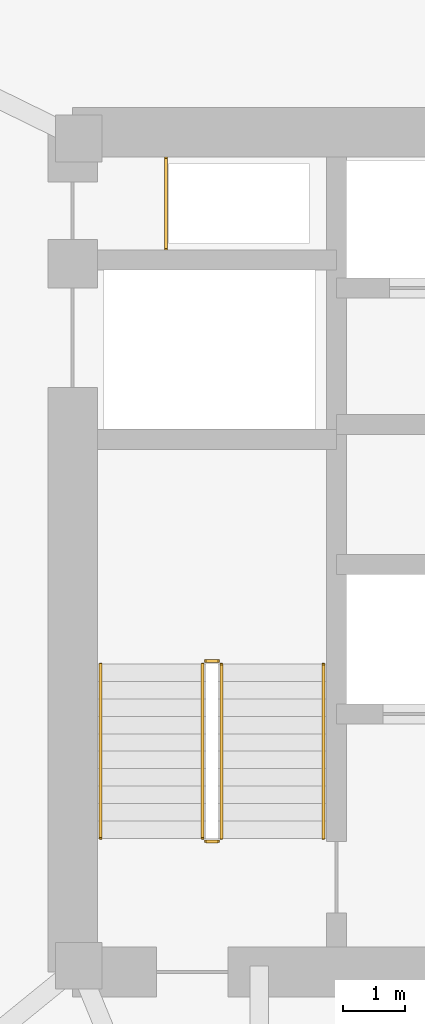
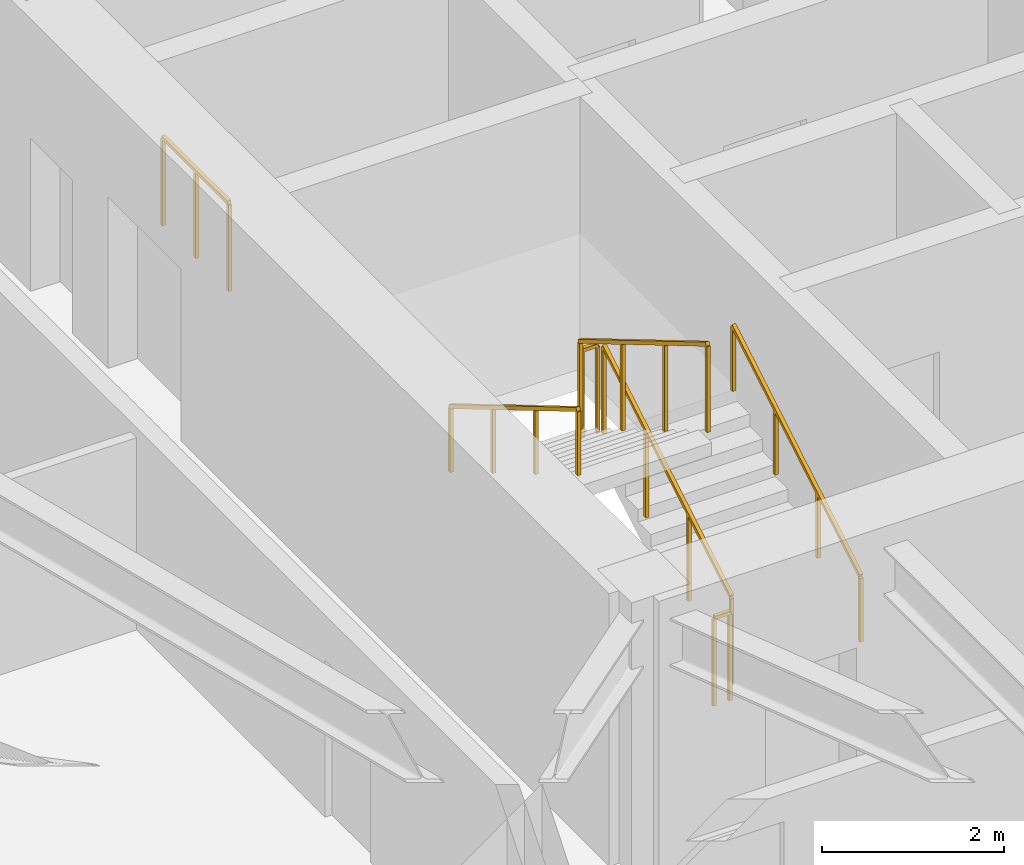
# One storey, part 14 of 16: 7 railings.
"""IFC4 building model written with IfcOpenShell, lengths in metres."""

from ifc_helpers import new_model, si_unit, direction, frame, origin, origin_2d, place, context, subcontext, project, spatial, rectangle, extrude, material, type_object, element, save


model = new_model("IFC4")

# Units and contexts
model_context = context("Model", 3, precision=1e-05, world=origin(), true_north=direction((0.0, 1.0)))
body_context = subcontext(model_context, "Body", "Model", "MODEL_VIEW")
ifc_project = project(units=[si_unit("LENGTHUNIT", "METRE"), si_unit("AREAUNIT", "SQUARE_METRE"), si_unit("VOLUMEUNIT", "CUBIC_METRE"), si_unit("PLANEANGLEUNIT", "RADIAN"), si_unit("MASSUNIT", "GRAM", prefix="KILO")], contexts=[model_context])

# Site, building, storey
site_placement = place(None, origin())
site = spatial("IfcSite", under=ifc_project, at=site_placement, CompositionType="ELEMENT")
building_placement = place(site_placement, origin())
building = spatial("IfcBuilding", under=site, at=building_placement, Name="Talyreon Biosciences Tower", CompositionType="ELEMENT")
storey_placement = place(building_placement, frame((0.0, 0.0, 134.5)))
storey = spatial("IfcBuildingStorey", under=building, at=storey_placement, Name="L35", CompositionType="ELEMENT", Elevation=134.5)

# Railings
ifc_material_1 = material(Name="Brushed stainless-steel tubular handrail", Category="steel")
railing_type_1 = type_object("IfcRailingType", Name="StairWallHandrail_900", PredefinedType="HANDRAIL", material=ifc_material_1)
railing_1_placement = place(storey_placement, frame((61.8798828125, 63.39990234375, 0.166015625)))
element("IfcRailing", 1, at=railing_1_placement, inside=storey, type_object=railing_type_1, Name="L35 ST-1 stair handrail 1", PredefinedType="HANDRAIL", context=body_context, shape_type="SweptSolid", body=[
    extrude(rectangle(XDim=0.048095703125, YDim=0.048095703125, at=origin_2d()), frame((0.0, 0.0, 0.8759765625), z_axis=(0.0, 0.860339051648, 0.50972219513), x_axis=(-1.0, 0.0, 0.0)), (0.0, 0.0, 1.0), 3.254638671875),
    extrude(rectangle(XDim=0.0419921875, YDim=0.0419921875, at=origin_2d()), origin(), (0.0, 0.0, 1.0), 0.851806640625),
    extrude(rectangle(XDim=0.0419921875, YDim=0.0419921875, at=origin_2d()), frame((0.0, 0.933349609375, 0.552978515625)), (0.0, 0.0, 1.0), 0.851806640625),
    extrude(rectangle(XDim=0.0419921875, YDim=0.0419921875, at=origin_2d()), frame((0.0, 1.86669921875, 1.10595703125)), (0.0, 0.0, 1.0), 0.851806640625),
    extrude(rectangle(XDim=0.0419921875, YDim=0.0419921875, at=origin_2d()), frame((0.0, 2.800048828125, 1.658935546875)), (0.0, 0.0, 1.0), 0.851806640625),
])
railing_2_placement = place(storey_placement, frame((58.300048828125, 66.199951171875, 1.990966796875)))
element("IfcRailing", 2, at=railing_2_placement, inside=storey, type_object=railing_type_1, Name="L35 ST-1 stair handrail 2", PredefinedType="HANDRAIL", context=body_context, shape_type="SweptSolid", body=[
    extrude(rectangle(XDim=0.048095703125, YDim=0.048095703125, at=origin_2d()), frame((0.0, 0.0, 0.8759765625), z_axis=(0.0, -0.860339051648, 0.50972219513), x_axis=(1.0, 0.0, 0.0)), (0.0, 0.0, 1.0), 3.254638671875),
    extrude(rectangle(XDim=0.0419921875, YDim=0.0419921875, at=origin_2d()), origin(), (0.0, 0.0, 1.0), 0.851806640625),
    extrude(rectangle(XDim=0.0419921875, YDim=0.0419921875, at=origin_2d()), frame((0.0, -0.933349609375, 0.552978515625)), (0.0, 0.0, 1.0), 0.851806640625),
    extrude(rectangle(XDim=0.0419921875, YDim=0.0419921875, at=origin_2d()), frame((0.0, -1.86669921875, 1.10595703125)), (0.0, 0.0, 1.0), 0.851806640625),
    extrude(rectangle(XDim=0.0419921875, YDim=0.0419921875, at=origin_2d()), frame((0.0, -2.800048828125, 1.658935546875)), (0.0, 0.0, 1.0), 0.851806640625),
])
ifc_material_2 = material(Name="Painted galvanised steel post-and-rail balustrade", Category="steel")
railing_type_2 = type_object("IfcRailingType", Name="TerraceStairGuard_1200", PredefinedType="GUARDRAIL", material=ifc_material_2)
railing_3_placement = place(storey_placement, frame((60.239990234375, 63.39990234375, 0.166015625)))
element("IfcRailing", 3, at=railing_3_placement, inside=storey, type_object=railing_type_2, Name="L35 ST-1 stair guard 1", PredefinedType="GUARDRAIL", context=body_context, shape_type="SweptSolid", body=[
    extrude(rectangle(XDim=0.048095703125, YDim=0.048095703125, at=origin_2d()), frame((0.0, 0.0, 1.17578125), z_axis=(0.0, 0.860339051648, 0.50972219513), x_axis=(-1.0, 0.0, 0.0)), (0.0, 0.0, 1.0), 3.254638671875),
    extrude(rectangle(XDim=0.0419921875, YDim=0.0419921875, at=origin_2d()), origin(), (0.0, 0.0, 1.0), 1.15185546875),
    extrude(rectangle(XDim=0.0419921875, YDim=0.0419921875, at=origin_2d()), frame((0.0, 0.933349609375, 0.552978515625)), (0.0, 0.0, 1.0), 1.15185546875),
    extrude(rectangle(XDim=0.0419921875, YDim=0.0419921875, at=origin_2d()), frame((0.0, 1.86669921875, 1.10595703125)), (0.0, 0.0, 1.0), 1.15185546875),
    extrude(rectangle(XDim=0.0419921875, YDim=0.0419921875, at=origin_2d()), frame((0.0, 2.800048828125, 1.658935546875)), (0.0, 0.0, 1.0), 1.15185546875),
])
railing_4_placement = place(storey_placement, frame((60.18994140625, 66.25, 1.824951171875)))
element("IfcRailing", 4, at=railing_4_placement, inside=storey, type_object=railing_type_2, Name="L35 ST-1 stair guard 2", PredefinedType="GUARDRAIL", context=body_context, shape_type="SweptSolid", body=[
    extrude(rectangle(XDim=0.048095703125, YDim=0.048095703125, at=origin_2d()), frame((0.0, 0.0, 1.17578125), z_axis=(-1.0, 0.0, 0.0), x_axis=(0.0, -1.0, 0.0)), (0.0, 0.0, 1.0), 0.199951171875),
    extrude(rectangle(XDim=0.0419921875, YDim=0.0419921875, at=origin_2d()), origin(), (0.0, 0.0, 1.0), 1.15185546875),
    extrude(rectangle(XDim=0.0419921875, YDim=0.0419921875, at=origin_2d()), frame((-0.199951171875, 0.0, 0.0)), (0.0, 0.0, 1.0), 1.15185546875),
])
railing_5_placement = place(storey_placement, frame((59.93994140625, 66.199951171875, 1.990966796875)))
element("IfcRailing", 5, at=railing_5_placement, inside=storey, type_object=railing_type_2, Name="L35 ST-1 stair guard 3", PredefinedType="GUARDRAIL", context=body_context, shape_type="SweptSolid", body=[
    extrude(rectangle(XDim=0.048095703125, YDim=0.048095703125, at=origin_2d()), frame((0.0, 0.0, 1.17578125), z_axis=(0.0, -0.860339051648, 0.50972219513), x_axis=(1.0, 0.0, 0.0)), (0.0, 0.0, 1.0), 3.254638671875),
    extrude(rectangle(XDim=0.0419921875, YDim=0.0419921875, at=origin_2d()), origin(), (0.0, 0.0, 1.0), 1.15185546875),
    extrude(rectangle(XDim=0.0419921875, YDim=0.0419921875, at=origin_2d()), frame((0.0, -0.933349609375, 0.552978515625)), (0.0, 0.0, 1.0), 1.15185546875),
    extrude(rectangle(XDim=0.0419921875, YDim=0.0419921875, at=origin_2d()), frame((0.0, -1.86669921875, 1.10595703125)), (0.0, 0.0, 1.0), 1.15185546875),
    extrude(rectangle(XDim=0.0419921875, YDim=0.0419921875, at=origin_2d()), frame((0.0, -2.800048828125, 1.658935546875)), (0.0, 0.0, 1.0), 1.15185546875),
])
railing_6_placement = place(storey_placement, frame((60.18994140625, 63.35009765625, 0.0)))
element("IfcRailing", 6, at=railing_6_placement, inside=storey, type_object=railing_type_2, Name="L35 ST-1 stair guard 4", PredefinedType="GUARDRAIL", context=body_context, shape_type="SweptSolid", body=[
    extrude(rectangle(XDim=0.048095703125, YDim=0.048095703125, at=origin_2d()), frame((0.0, 0.0, 1.17578125), z_axis=(-1.0, 0.0, 0.0), x_axis=(0.0, -1.0, 0.0)), (0.0, 0.0, 1.0), 0.199951171875),
    extrude(rectangle(XDim=0.0419921875, YDim=0.0419921875, at=origin_2d()), origin(), (0.0, 0.0, 1.0), 1.15185546875),
    extrude(rectangle(XDim=0.0419921875, YDim=0.0419921875, at=origin_2d()), frame((-0.199951171875, 0.0, 0.0)), (0.0, 0.0, 1.0), 1.15185546875),
])
railing_7_placement = place(storey_placement, frame((59.35009765625, 72.8798828125, 0.0)))
element("IfcRailing", 7, at=railing_7_placement, inside=storey, type_object=railing_type_2, Name="L35 Exhaust Riser Maintenance Guardrail", PredefinedType="GUARDRAIL", context=body_context, shape_type="SweptSolid", body=[
    extrude(rectangle(XDim=0.048095703125, YDim=0.048095703125, at=origin_2d()), frame((0.0, 0.0, 1.17578125), z_axis=(0.0, 1.0, 0.0), x_axis=(-1.0, 0.0, 0.0)), (0.0, 0.0, 1.0), 1.4501953125),
    extrude(rectangle(XDim=0.0419921875, YDim=0.0419921875, at=origin_2d()), origin(), (0.0, 0.0, 1.0), 1.15185546875),
    extrude(rectangle(XDim=0.0419921875, YDim=0.0419921875, at=origin_2d()), frame((0.0, 0.72509765625, 0.0)), (0.0, 0.0, 1.0), 1.15185546875),
    extrude(rectangle(XDim=0.0419921875, YDim=0.0419921875, at=origin_2d()), frame((0.0, 1.4501953125, 0.0)), (0.0, 0.0, 1.0), 1.15185546875),
])

save(model, "model.ifc")
